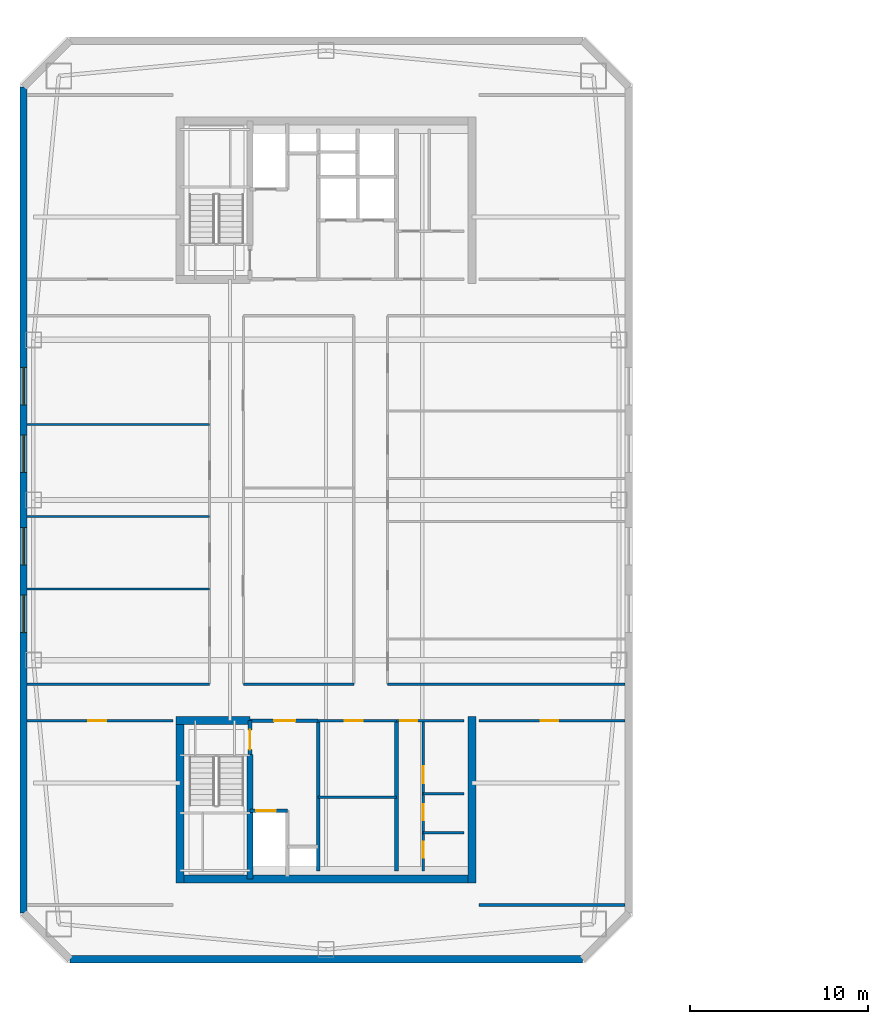
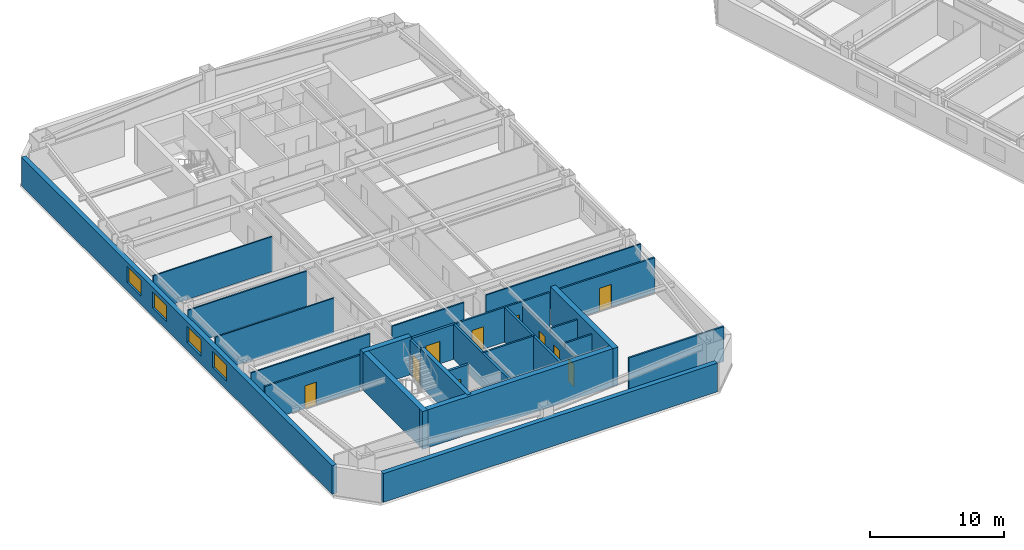
# One storey, part 5 of 13: 27 walls, 10 doors, 4 windows, 14 openings.
"""IFC4 building model written with IfcOpenShell, lengths in metres."""

from ifc_helpers import new_model, si_unit, direction, frame, frame_2d, origin, place, context, subcontext, project, spatial, rectangle, extrude, material, layer, layer_set, type_object, element, fill, save


model = new_model("IFC4")

# Units and contexts
model_context = context("Model", 3, precision=1e-05, world=origin(), true_north=direction((0.0, 1.0)))
body_context = subcontext(model_context, "Body", "Model", "MODEL_VIEW")
ifc_project = project(units=[si_unit("LENGTHUNIT", "METRE"), si_unit("AREAUNIT", "SQUARE_METRE"), si_unit("VOLUMEUNIT", "CUBIC_METRE"), si_unit("PLANEANGLEUNIT", "RADIAN"), si_unit("MASSUNIT", "GRAM", prefix="KILO")], contexts=[model_context])

# Site, building, storey
site_placement = place(None, origin())
site = spatial("IfcSite", under=ifc_project, at=site_placement, CompositionType="ELEMENT")
building_placement = place(site_placement, origin())
building = spatial("IfcBuilding", under=site, at=building_placement, Name="Qiaolan Cultural Towers", CompositionType="ELEMENT")
storey_placement = place(building_placement, frame((0.0, 0.0, 192.050048828125)))
storey = spatial("IfcBuildingStorey", under=building, at=storey_placement, Name="L51", CompositionType="ELEMENT", Elevation=192.050048828125)

# Walls
ifc_material_1 = material(Name="Concrete C50", Category="concrete")
ifc_layer_1 = layer(ifc_material_1, 0.35009765625)
ifc_layer_set_1 = layer_set([ifc_layer_1], Name="Concrete C50")
wall_type_1 = type_object("IfcWallType", Name="WL-CORE-350", PredefinedType="SHEAR", material=ifc_layer_set_1)
wall_1_placement = place(storey_placement, frame((25.719970703125, 19.699951171875, 0.0), z_axis=(0.0, 0.0, 1.0), x_axis=(0.0, -1.0, 0.0)))
element("IfcWall", 1, at=wall_1_placement, inside=storey, type_object=wall_type_1, Name="L51 T1-CS Stair Core Dividing Web", PredefinedType="SHEAR", context=body_context, shape_type="SweptSolid", body=[
    extrude(rectangle(XDim=6.97998046875, YDim=0.35009765625, at=frame_2d((3.489990234375, 0.0))), origin(), (0.0, 0.0, 1.0), 3.449951171875),
])
ifc_material_2 = material(Name="Concrete C50", Category="concrete")
ifc_layer_2 = layer(ifc_material_2, 0.449951171875)
ifc_layer_set_2 = layer_set([ifc_layer_2], Name="Concrete C50")
wall_type_2 = type_object("IfcWallType", Name="WL-CORE-450", PredefinedType="SHEAR", material=ifc_layer_set_2)
wall_2_placement = place(storey_placement, frame((21.574951171875, 12.719970703125, 0.0), z_axis=(0.0, 0.0, 1.0), x_axis=(1.0, 0.0, 0.0)))
element("IfcWall", 2, at=wall_2_placement, inside=storey, type_object=wall_type_2, Name="L51 T1-CS Outer Core Shear Wall", PredefinedType="SHEAR", context=body_context, shape_type="SweptSolid", body=[
    extrude(rectangle(XDim=16.85009765625, YDim=0.449951171875, at=frame_2d((8.425048828125, 0.0))), origin(), (0.0, 0.0, 1.0), 3.449951171875),
])
for number, where, z_axis, x_axis, name in (
    (3, (21.800048828125, 21.824951171875, 0.0), (0.0, 0.0, 1.0), (0.0, -1.0, 0.0), "L51 T1-CS West Core Shear Wall"),
    (4, (38.199951171875, 21.824951171875, 0.0), (0.0, 0.0, 1.0), (0.0, -1.0, 0.0), "L51 T1-CS East Core Shear Wall"),
):
    element("IfcWall", number, at=place(storey_placement, frame(where, z_axis=z_axis, x_axis=x_axis)), inside=storey, type_object=wall_type_2, Name=name, PredefinedType="SHEAR", context=body_context, shape_type="SweptSolid", body=[
        extrude(rectangle(XDim=9.329833984375, YDim=0.449951171875, at=frame_2d((4.6650390625, 0.0))), origin(), (0.0, 0.0, 1.0), 3.449951171875),
    ])
wall_3_placement = place(storey_placement, frame((21.574951171875, 21.60009765625, 0.0), z_axis=(0.0, 0.0, 1.0), x_axis=(1.0, 0.0, 0.0)))
element("IfcWall", 5, at=wall_3_placement, inside=storey, type_object=wall_type_2, Name="L51 T1-CS Stair Front Shear Wall", PredefinedType="SHEAR", context=body_context, shape_type="SweptSolid", body=[
    extrude(rectangle(XDim=4.14501953125, YDim=0.449951171875, at=frame_2d((2.072509765625, 0.0))), origin(), (0.0, 0.0, 1.0), 3.449951171875),
])

# Wall, openings, windows
ifc_material_3 = material(Name="Precast Concrete C50 Honed Stone Pier", Category="masonry")
ifc_layer_3 = layer(ifc_material_3, 0.39990234375)
ifc_layer_set_3 = layer_set([ifc_layer_3], Name="Precast Concrete C50 Honed Stone Pier")
wall_type_3 = type_object("IfcWallType", Name="WL-EXT-PIER-400", PredefinedType="SOLIDWALL", material=ifc_layer_set_3)
wall_4_placement = place(storey_placement, frame((13.0, 10.800048828125, 0.0), z_axis=(0.0, 0.0, 1.0), x_axis=(0.0, 1.0, 0.0)))
wall_4 = element("IfcWall", 6, at=wall_4_placement, inside=storey, type_object=wall_type_3, Name="L51 West Tower Precast Pier Facade Wall F1", PredefinedType="SOLIDWALL", context=body_context, shape_type="SweptSolid", body=[
    extrude(rectangle(XDim=46.39990234375, YDim=0.39990234375, at=frame_2d((23.199951171875, 0.0))), origin(), (0.0, 0.0, 1.0), 2.60986328125),
])
opening_1_placement = place(wall_4_placement, frame((15.75, 0.0, 0.75)))
opening_1 = element("IfcOpeningElement", 7, at=opening_1_placement, cuts=wall_4, Name="Opening W-05", PredefinedType="OPENING", context=body_context, shape_type="SweptSolid", body=[
    extrude(rectangle(XDim=2.10009765625, YDim=1.4599609375, at=frame_2d((1.050048828125, 0.72998046875))), frame((0.0, 0.2099609375, 0.0), z_axis=(0.0, -1.0, 0.0), x_axis=(1.0, 0.0, 0.0)), (0.0, 0.0, 1.0), 0.419921875),
])
opening_2_placement = place(wall_4_placement, frame((19.550048828125, 0.0, 0.75)))
opening_2 = element("IfcOpeningElement", 8, at=opening_2_placement, cuts=wall_4, Name="Opening W-05", PredefinedType="OPENING", context=body_context, shape_type="SweptSolid", body=[
    extrude(rectangle(XDim=2.10009765625, YDim=1.4599609375, at=frame_2d((1.050048828125, 0.72998046875))), frame((0.0, 0.2099609375, 0.0), z_axis=(0.0, -1.0, 0.0), x_axis=(1.0, 0.0, 0.0)), (0.0, 0.0, 1.0), 0.419921875),
])
opening_3_placement = place(wall_4_placement, frame((24.75, 0.0, 0.75)))
opening_3 = element("IfcOpeningElement", 9, at=opening_3_placement, cuts=wall_4, Name="Opening W-05", PredefinedType="OPENING", context=body_context, shape_type="SweptSolid", body=[
    extrude(rectangle(XDim=2.10009765625, YDim=1.4599609375, at=frame_2d((1.050048828125, 0.72998046875))), frame((0.0, 0.2099609375, 0.0), z_axis=(0.0, -1.0, 0.0), x_axis=(1.0, 0.0, 0.0)), (0.0, 0.0, 1.0), 0.419921875),
])
opening_4_placement = place(wall_4_placement, frame((28.550048828125, 0.0, 0.75)))
opening_4 = element("IfcOpeningElement", 10, at=opening_4_placement, cuts=wall_4, Name="Opening W-05", PredefinedType="OPENING", context=body_context, shape_type="SweptSolid", body=[
    extrude(rectangle(XDim=2.10009765625, YDim=1.4599609375, at=frame_2d((1.050048828125, 0.72998046875))), frame((0.0, 0.2099609375, 0.0), z_axis=(0.0, -1.0, 0.0), x_axis=(1.0, 0.0, 0.0)), (0.0, 0.0, 1.0), 0.419921875),
])
ifc_material_4 = material(Name="Thermally Broken Aluminium Triple Low-E Glazing", Category="aluminium")
window_type = type_object("IfcWindowType", Name="WN-CHIC-2100", PartitioningType="SINGLE_PANEL", PredefinedType="WINDOW", material=ifc_material_4)
window_1_placement = place(opening_1_placement, origin())
window_1 = element("IfcWindow", 11, at=window_1_placement, inside=storey, type_object=window_type, Name="L51 T1 W Chicago Bay Window 1", OverallHeight=1.4599609375, OverallWidth=2.10009765625, PartitioningType="TRIPLE_PANEL_VERTICAL", PredefinedType="WINDOW", context=body_context, shape_type="SweptSolid", body=[
    extrude(rectangle(XDim=2.10009765625, YDim=1.4599609375, at=frame_2d((1.050048828125, 0.72998046875))), frame((0.0, 0.030029296875, 0.0), z_axis=(0.0, -1.0, 0.0), x_axis=(1.0, 0.0, 0.0)), (0.0, 0.0, 1.0), 0.06005859375),
])
fill(opening_1, window_1)
window_2_placement = place(opening_2_placement, origin())
window_2 = element("IfcWindow", 12, at=window_2_placement, inside=storey, type_object=window_type, Name="L51 T1 W Chicago Bay Window 2", OverallHeight=1.4599609375, OverallWidth=2.10009765625, PartitioningType="TRIPLE_PANEL_VERTICAL", PredefinedType="WINDOW", context=body_context, shape_type="SweptSolid", body=[
    extrude(rectangle(XDim=2.10009765625, YDim=1.4599609375, at=frame_2d((1.050048828125, 0.72998046875))), frame((0.0, 0.030029296875, 0.0), z_axis=(0.0, -1.0, 0.0), x_axis=(1.0, 0.0, 0.0)), (0.0, 0.0, 1.0), 0.06005859375),
])
fill(opening_2, window_2)
window_3_placement = place(opening_3_placement, origin())
window_3 = element("IfcWindow", 13, at=window_3_placement, inside=storey, type_object=window_type, Name="L51 T1 W Chicago Bay Window 3", OverallHeight=1.4599609375, OverallWidth=2.10009765625, PartitioningType="TRIPLE_PANEL_VERTICAL", PredefinedType="WINDOW", context=body_context, shape_type="SweptSolid", body=[
    extrude(rectangle(XDim=2.10009765625, YDim=1.4599609375, at=frame_2d((1.050048828125, 0.72998046875))), frame((0.0, 0.030029296875, 0.0), z_axis=(0.0, -1.0, 0.0), x_axis=(1.0, 0.0, 0.0)), (0.0, 0.0, 1.0), 0.06005859375),
])
fill(opening_3, window_3)
window_4_placement = place(opening_4_placement, origin())
window_4 = element("IfcWindow", 14, at=window_4_placement, inside=storey, type_object=window_type, Name="L51 T1 W Chicago Bay Window 4", OverallHeight=1.4599609375, OverallWidth=2.10009765625, PartitioningType="TRIPLE_PANEL_VERTICAL", PredefinedType="WINDOW", context=body_context, shape_type="SweptSolid", body=[
    extrude(rectangle(XDim=2.10009765625, YDim=1.4599609375, at=frame_2d((1.050048828125, 0.72998046875))), frame((0.0, 0.030029296875, 0.0), z_axis=(0.0, -1.0, 0.0), x_axis=(1.0, 0.0, 0.0)), (0.0, 0.0, 1.0), 0.06005859375),
])
fill(opening_4, window_4)

# Wall
wall_5_placement = place(storey_placement, frame((44.39990234375, 8.199951171875, 0.0), z_axis=(0.0, 0.0, 1.0), x_axis=(-1.0, 0.0, 0.0)))
element("IfcWall", 15, at=wall_5_placement, inside=storey, type_object=wall_type_3, Name="L51 West Tower Precast Pier Facade Wall F7", PredefinedType="SOLIDWALL", context=body_context, shape_type="SweptSolid", body=[
    extrude(rectangle(XDim=28.7998046875, YDim=0.39990234375, at=frame_2d((14.39990234375, 0.0))), origin(), (0.0, 0.0, 1.0), 2.60986328125),
])

# Wall, opening, door
ifc_material_5 = material(Name="Concrete C35 Fire Wall", Category="concrete")
ifc_layer_4 = layer(ifc_material_5, 0.199951171875)
ifc_layer_set_4 = layer_set([ifc_layer_4], Name="Concrete C35 Fire Wall")
wall_type_4 = type_object("IfcWallType", Name="WL-FIRE-200", PredefinedType="PARTITIONING", material=ifc_layer_set_4)
wall_6_placement = place(storey_placement, frame((25.719970703125, 21.60009765625, 0.0), z_axis=(0.0, 0.0, 1.0), x_axis=(0.0, -1.0, 0.0)))
wall_6 = element("IfcWall", 16, at=wall_6_placement, inside=storey, type_object=wall_type_4, Name="L51 T1-CS Smokeproof Stair Entry Wall", PredefinedType="PARTITIONING", context=body_context, shape_type="SweptSolid", body=[
    extrude(rectangle(XDim=1.900146484375, YDim=0.199951171875, at=frame_2d((0.9501953125, 0.0))), origin(), (0.0, 0.0, 1.0), 3.175048828125),
])
opening_5_placement = place(wall_6_placement, frame((0.52001953125, 0.0, 0.0)))
opening_5 = element("IfcOpeningElement", 17, at=opening_5_placement, cuts=wall_6, Name="Opening FD-04", PredefinedType="OPENING", context=body_context, shape_type="SweptSolid", body=[
    extrude(rectangle(XDim=1.10009765625, YDim=2.050048828125, at=frame_2d((0.550048828125, 1.02490234375))), frame((0.0, 0.10986328125, 0.0), z_axis=(0.0, -1.0, 0.0), x_axis=(1.0, 0.0, 0.0)), (0.0, 0.0, 1.0), 0.219970703125),
])
ifc_material_6 = material(Name="Galvanized Steel Command Fire Door", Category="steel")
door_type_1 = type_object("IfcDoorType", Name="DR-FD90-1100", OperationType="NOTDEFINED", PredefinedType="DOOR", material=ifc_material_6)
door_1_placement = place(opening_5_placement, origin())
door_1 = element("IfcDoor", 18, at=door_1_placement, inside=storey, type_object=door_type_1, Name="L51 ST-W1 Smokeproof Stair Fire Door", OperationType="SINGLE_SWING_LEFT", OverallHeight=2.050048828125, OverallWidth=1.10009765625, PredefinedType="DOOR", context=body_context, shape_type="SweptSolid", body=[
    extrude(rectangle(XDim=1.10009765625, YDim=2.050048828125, at=frame_2d((0.550048828125, 1.02490234375))), frame((0.0, 0.02490234375, 0.0), z_axis=(0.0, -1.0, 0.0), x_axis=(1.0, 0.0, 0.0)), (0.0, 0.0, 1.0), 0.050048828125),
])
fill(opening_5, door_1)

# Wall
wall_7_placement = place(storey_placement, frame((29.550048828125, 21.60009765625, 0.0), z_axis=(0.0, 0.0, 1.0), x_axis=(0.0, -1.0, 0.0)))
element("IfcWall", 19, at=wall_7_placement, inside=storey, type_object=wall_type_4, Name="L51 T1-CS Firefighting Zone Wall", PredefinedType="PARTITIONING", context=body_context, shape_type="SweptSolid", body=[
    extrude(rectangle(XDim=8.43017578125, YDim=0.199951171875, at=frame_2d((4.215087890625, 0.0))), origin(), (0.0, 0.0, 1.0), 3.175048828125),
])

# Wall, opening, door
wall_8_placement = place(storey_placement, frame((25.719970703125, 21.60009765625, 0.0), z_axis=(0.0, 0.0, 1.0), x_axis=(1.0, 0.0, 0.0)))
wall_8 = element("IfcWall", 20, at=wall_8_placement, inside=storey, type_object=wall_type_4, Name="L51 T1-CS Firefighting Lobby Front Wall", PredefinedType="PARTITIONING", context=body_context, shape_type="SweptSolid", body=[
    extrude(rectangle(XDim=3.830078125, YDim=0.199951171875, at=frame_2d((1.9150390625, 0.0))), origin(), (0.0, 0.0, 1.0), 3.175048828125),
])
opening_6_placement = place(wall_8_placement, frame((1.35009765625, 0.0, 0.0)))
opening_6 = element("IfcOpeningElement", 21, at=opening_6_placement, cuts=wall_8, Name="Opening FD-03", PredefinedType="OPENING", context=body_context, shape_type="SweptSolid", body=[
    extrude(rectangle(XDim=1.199951171875, YDim=2.050048828125, at=frame_2d((0.60009765625, 1.02490234375))), frame((0.0, 0.10986328125, 0.0), z_axis=(0.0, -1.0, 0.0), x_axis=(1.0, 0.0, 0.0)), (0.0, 0.0, 1.0), 0.219970703125),
])
ifc_material_7 = material(Name="Galvanized Steel Smokeproof Lobby Fire Door", Category="steel")
door_type_2 = type_object("IfcDoorType", Name="DR-FD90-1200", OperationType="NOTDEFINED", PredefinedType="DOOR", material=ifc_material_7)
door_2_placement = place(opening_6_placement, origin())
door_2 = element("IfcDoor", 22, at=door_2_placement, inside=storey, type_object=door_type_2, Name="L51 FFL-W1 Firefighting Lobby Fire Door", OperationType="SINGLE_SWING_LEFT", OverallHeight=2.050048828125, OverallWidth=1.199951171875, PredefinedType="DOOR", context=body_context, shape_type="SweptSolid", body=[
    extrude(rectangle(XDim=1.199951171875, YDim=2.050048828125, at=frame_2d((0.60009765625, 1.02490234375))), frame((0.0, 0.02490234375, 0.0), z_axis=(0.0, -1.0, 0.0), x_axis=(1.0, 0.0, 0.0)), (0.0, 0.0, 1.0), 0.050048828125),
])
fill(opening_6, door_2)

wall_9_placement = place(storey_placement, frame((25.719970703125, 16.550048828125, 0.0), z_axis=(0.0, 0.0, 1.0), x_axis=(1.0, 0.0, 0.0)))
wall_9 = element("IfcWall", 23, at=wall_9_placement, inside=storey, type_object=wall_type_4, Name="L51 T1-CS Firefighting Shaft Front Wall", PredefinedType="PARTITIONING", context=body_context, shape_type="SweptSolid", body=[
    extrude(rectangle(XDim=2.10009765625, YDim=0.199951171875, at=frame_2d((1.050048828125, 0.0))), origin(), (0.0, 0.0, 1.0), 3.175048828125),
])
opening_7_placement = place(wall_9_placement, frame((0.35009765625, 0.0, 0.0)))
opening_7 = element("IfcOpeningElement", 24, at=opening_7_placement, cuts=wall_9, Name="Opening LD-01", PredefinedType="OPENING", context=body_context, shape_type="SweptSolid", body=[
    extrude(rectangle(XDim=1.10009765625, YDim=2.050048828125, at=frame_2d((0.550048828125, 1.02490234375))), frame((0.0, 0.10986328125, 0.0), z_axis=(0.0, -1.0, 0.0), x_axis=(1.0, 0.0, 0.0)), (0.0, 0.0, 1.0), 0.219970703125),
])
ifc_material_8 = material(Name="Brushed Stainless Steel S30408 Centre-Parting Lift Landing Door", Category="steel")
door_type_3 = type_object("IfcDoorType", Name="DR-LIFT-1100", OperationType="NOTDEFINED", PredefinedType="DOOR", material=ifc_material_8)
door_3_placement = place(opening_7_placement, origin())
door_3 = element("IfcDoor", 25, at=door_3_placement, inside=storey, type_object=door_type_3, Name="L51 FFL-W1 Firefighting Lift Landing Door", OperationType="DOUBLE_DOOR_SLIDING", OverallHeight=2.050048828125, OverallWidth=1.10009765625, PredefinedType="DOOR", context=body_context, shape_type="SweptSolid", body=[
    extrude(rectangle(XDim=1.10009765625, YDim=2.050048828125, at=frame_2d((0.550048828125, 1.02490234375))), frame((0.0, 0.02490234375, 0.0), z_axis=(0.0, -1.0, 0.0), x_axis=(1.0, 0.0, 0.0)), (0.0, 0.0, 1.0), 0.050048828125),
])
fill(opening_7, door_3)

# Walls
wall_10_placement = place(storey_placement, frame((33.949951171875, 21.60009765625, 0.0), z_axis=(0.0, 0.0, 1.0), x_axis=(0.0, -1.0, 0.0)))
element("IfcWall", 26, at=wall_10_placement, inside=storey, type_object=wall_type_4, Name="L51 T1-CS Lift Core East Wall", PredefinedType="PARTITIONING", context=body_context, shape_type="SweptSolid", body=[
    extrude(rectangle(XDim=8.43017578125, YDim=0.199951171875, at=frame_2d((4.215087890625, 0.0))), origin(), (0.0, 0.0, 1.0), 3.175048828125),
])
ifc_material_9 = material(Name="Gypsum Stud Acoustic Partition", Category="gypsum")
ifc_layer_5 = layer(ifc_material_9, 0.1201171875)
ifc_layer_set_5 = layer_set([ifc_layer_5], Name="Gypsum Stud Acoustic Partition")
wall_type_5 = type_object("IfcWallType", Name="WL-PART-120", PredefinedType="PARTITIONING", material=ifc_layer_set_5)
wall_11_placement = place(storey_placement, frame((13.199951171875, 23.64990234375, 0.0), z_axis=(0.0, 0.0, 1.0), x_axis=(1.0, 0.0, 0.0)))
element("IfcWall", 27, at=wall_11_placement, inside=storey, type_object=wall_type_5, Name="L51 T1 Interior Wall", PredefinedType="PARTITIONING", context=body_context, shape_type="SweptSolid", body=[
    extrude(rectangle(XDim=10.25, YDim=0.1201171875, at=frame_2d((5.125, 0.0))), origin(), (0.0, 0.0, 1.0), 3.175048828125),
])
wall_12_placement = place(storey_placement, frame((25.35009765625, 23.64990234375, 0.0), z_axis=(0.0, 0.0, 1.0), x_axis=(1.0, 0.0, 0.0)))
element("IfcWall", 28, at=wall_12_placement, inside=storey, type_object=wall_type_5, Name="L51 T1 Interior Wall", PredefinedType="PARTITIONING", context=body_context, shape_type="SweptSolid", body=[
    extrude(rectangle(XDim=6.199951171875, YDim=0.1201171875, at=frame_2d((3.10009765625, 0.0))), origin(), (0.0, 0.0, 1.0), 3.175048828125),
])
wall_13_placement = place(storey_placement, frame((33.449951171875, 23.64990234375, 0.0), z_axis=(0.0, 0.0, 1.0), x_axis=(1.0, 0.0, 0.0)))
element("IfcWall", 29, at=wall_13_placement, inside=storey, type_object=wall_type_5, Name="L51 T1 Interior Wall", PredefinedType="PARTITIONING", context=body_context, shape_type="SweptSolid", body=[
    extrude(rectangle(XDim=13.35009765625, YDim=0.1201171875, at=frame_2d((6.675048828125, 0.0))), origin(), (0.0, 0.0, 1.0), 3.175048828125),
])
for number, where, z_axis, x_axis, name in (
    (30, (13.199951171875, 29.0, 0.0), (0.0, 0.0, 1.0), (1.0, 0.0, 0.0), "L51 T1 Interior Wall"),
    (31, (13.199951171875, 33.06494140625, 0.0), (0.0, 0.0, 1.0), (1.0, 0.0, 0.0), "L51 T1 Interior Wall"),
    (32, (13.199951171875, 38.239990234375, 0.0), (0.0, 0.0, 1.0), (1.0, 0.0, 0.0), "L51 T1 Interior Wall"),
):
    element("IfcWall", number, at=place(storey_placement, frame(where, z_axis=z_axis, x_axis=x_axis)), inside=storey, type_object=wall_type_5, Name=name, PredefinedType="PARTITIONING", context=body_context, shape_type="SweptSolid", body=[
        extrude(rectangle(XDim=10.25, YDim=0.1201171875, at=frame_2d((5.125, 0.0))), origin(), (0.0, 0.0, 1.0), 3.175048828125),
    ])

# Wall, opening, door
ifc_material_10 = material(Name="Autoclaved Aerated Concrete Block B06", Category="concrete")
ifc_layer_6 = layer(ifc_material_10, 0.14990234375)
ifc_layer_set_6 = layer_set([ifc_layer_6], Name="Autoclaved Aerated Concrete Block B06")
wall_type_6 = type_object("IfcWallType", Name="WL-PART-150", PredefinedType="PARTITIONING", material=ifc_layer_set_6)
wall_14_placement = place(storey_placement, frame((29.550048828125, 21.60009765625, 0.0), z_axis=(0.0, 0.0, 1.0), x_axis=(1.0, 0.0, 0.0)))
wall_14 = element("IfcWall", 33, at=wall_14_placement, inside=storey, type_object=wall_type_6, Name="L51 T1-CS Reclaimed Core Room Front Wall", PredefinedType="PARTITIONING", context=body_context, shape_type="SweptSolid", body=[
    extrude(rectangle(XDim=4.39990234375, YDim=0.14990234375, at=frame_2d((2.199951171875, 0.0))), origin(), (0.0, 0.0, 1.0), 3.175048828125),
])
opening_8_placement = place(wall_14_placement, frame((1.5, 0.0, 0.0)))
opening_8 = element("IfcOpeningElement", 34, at=opening_8_placement, cuts=wall_14, Name="Opening ID-04", PredefinedType="OPENING", context=body_context, shape_type="SweptSolid", body=[
    extrude(rectangle(XDim=1.0, YDim=2.050048828125, at=frame_2d((0.5, 1.02490234375))), frame((0.0, 0.0849609375, 0.0), z_axis=(0.0, -1.0, 0.0), x_axis=(1.0, 0.0, 0.0)), (0.0, 0.0, 1.0), 0.169921875),
])
ifc_material_11 = material(Name="Oak Veneer Acoustic Office Door", Category="timber")
door_type_4 = type_object("IfcDoorType", Name="DR-INT-1000", OperationType="NOTDEFINED", PredefinedType="DOOR", material=ifc_material_11)
door_4_placement = place(opening_8_placement, origin())
door_4 = element("IfcDoor", 35, at=door_4_placement, inside=storey, type_object=door_type_4, Name="L51 Focus Pod Room Door", OperationType="SINGLE_SWING_LEFT", OverallHeight=2.050048828125, OverallWidth=1.0, PredefinedType="DOOR", context=body_context, shape_type="SweptSolid", body=[
    extrude(rectangle(XDim=1.0, YDim=2.050048828125, at=frame_2d((0.5, 1.02490234375))), frame((0.0, 0.02490234375, 0.0), z_axis=(0.0, -1.0, 0.0), x_axis=(1.0, 0.0, 0.0)), (0.0, 0.0, 1.0), 0.050048828125),
])
fill(opening_8, door_4)

# Wall
wall_15_placement = place(storey_placement, frame((29.550048828125, 17.300048828125, 0.0), z_axis=(0.0, 0.0, 1.0), x_axis=(1.0, 0.0, 0.0)))
element("IfcWall", 36, at=wall_15_placement, inside=storey, type_object=wall_type_6, Name="L51 T1-CS Reclaimed Room Subdivider", PredefinedType="PARTITIONING", context=body_context, shape_type="SweptSolid", body=[
    extrude(rectangle(XDim=4.39990234375, YDim=0.14990234375, at=frame_2d((2.199951171875, 0.0))), origin(), (0.0, 0.0, 1.0), 3.175048828125),
])

# Wall, opening, door
wall_16_placement = place(storey_placement, frame((33.949951171875, 21.60009765625, 0.0), z_axis=(0.0, 0.0, 1.0), x_axis=(1.0, 0.0, 0.0)))
wall_16 = element("IfcWall", 37, at=wall_16_placement, inside=storey, type_object=wall_type_6, Name="L51 T1-CS Sanitary Core Front Wall", PredefinedType="PARTITIONING", context=body_context, shape_type="SweptSolid", body=[
    extrude(rectangle(XDim=3.800048828125, YDim=0.14990234375, at=frame_2d((1.89990234375, 0.0))), origin(), (0.0, 0.0, 1.0), 3.175048828125),
])
opening_9_placement = place(wall_16_placement, frame((0.219970703125, 0.0, 0.0)))
opening_9 = element("IfcOpeningElement", 38, at=opening_9_placement, cuts=wall_16, Name="Opening ID-05", PredefinedType="OPENING", context=body_context, shape_type="SweptSolid", body=[
    extrude(rectangle(XDim=0.949951171875, YDim=2.050048828125, at=frame_2d((0.47509765625, 1.02490234375))), frame((0.0, 0.0849609375, 0.0), z_axis=(0.0, -1.0, 0.0), x_axis=(1.0, 0.0, 0.0)), (0.0, 0.0, 1.0), 0.169921875),
])
ifc_material_12 = material(Name="Fire-Rated Laminate Accessible Core Door", Category="timber")
door_type_5 = type_object("IfcDoorType", Name="DR-INT-950", OperationType="NOTDEFINED", PredefinedType="DOOR", material=ifc_material_12)
door_5_placement = place(opening_9_placement, origin())
door_5 = element("IfcDoor", 39, at=door_5_placement, inside=storey, type_object=door_type_5, Name="L51 Sanitary Vestibule Door", OperationType="SINGLE_SWING_LEFT", OverallHeight=2.050048828125, OverallWidth=0.949951171875, PredefinedType="DOOR", context=body_context, shape_type="SweptSolid", body=[
    extrude(rectangle(XDim=0.949951171875, YDim=2.050048828125, at=frame_2d((0.47509765625, 1.02490234375))), frame((0.0, 0.02490234375, 0.0), z_axis=(0.0, -1.0, 0.0), x_axis=(1.0, 0.0, 0.0)), (0.0, 0.0, 1.0), 0.050048828125),
])
fill(opening_9, door_5)

# Wall, openings, doors
wall_17_placement = place(storey_placement, frame((35.449951171875, 21.60009765625, 0.0), z_axis=(0.0, 0.0, 1.0), x_axis=(0.0, -1.0, 0.0)))
wall_17 = element("IfcWall", 40, at=wall_17_placement, inside=storey, type_object=wall_type_6, Name="L51 T1-CS Sanitary Vestibule Wall", PredefinedType="PARTITIONING", context=body_context, shape_type="SweptSolid", body=[
    extrude(rectangle(XDim=8.43017578125, YDim=0.14990234375, at=frame_2d((4.215087890625, 0.0))), origin(), (0.0, 0.0, 1.0), 2.81494140625),
])
opening_10_placement = place(wall_17_placement, frame((2.550048828125, 0.0, 0.0)))
opening_10 = element("IfcOpeningElement", 41, at=opening_10_placement, cuts=wall_17, Name="Opening ID-05", PredefinedType="OPENING", context=body_context, shape_type="SweptSolid", body=[
    extrude(rectangle(XDim=0.949951171875, YDim=2.050048828125, at=frame_2d((0.47509765625, 1.02490234375))), frame((0.0, 0.0849609375, 0.0), z_axis=(0.0, -1.0, 0.0), x_axis=(1.0, 0.0, 0.0)), (0.0, 0.0, 1.0), 0.169921875),
])
opening_11_placement = place(wall_17_placement, frame((4.699951171875, 0.0, 0.0)))
opening_11 = element("IfcOpeningElement", 42, at=opening_11_placement, cuts=wall_17, Name="Opening ID-06", PredefinedType="OPENING", context=body_context, shape_type="SweptSolid", body=[
    extrude(rectangle(XDim=0.89990234375, YDim=2.050048828125, at=frame_2d((0.449951171875, 1.02490234375))), frame((0.0, 0.0849609375, 0.0), z_axis=(0.0, -1.0, 0.0), x_axis=(1.0, 0.0, 0.0)), (0.0, 0.0, 1.0), 0.169921875),
])
opening_12_placement = place(wall_17_placement, frame((6.800048828125, 0.0, 0.0)))
opening_12 = element("IfcOpeningElement", 43, at=opening_12_placement, cuts=wall_17, Name="Opening ID-06", PredefinedType="OPENING", context=body_context, shape_type="SweptSolid", body=[
    extrude(rectangle(XDim=0.89990234375, YDim=2.050048828125, at=frame_2d((0.449951171875, 1.02490234375))), frame((0.0, 0.0849609375, 0.0), z_axis=(0.0, -1.0, 0.0), x_axis=(1.0, 0.0, 0.0)), (0.0, 0.0, 1.0), 0.169921875),
])
ifc_material_13 = material(Name="Fire-Rated Laminate Core Service Door", Category="timber")
door_type_6 = type_object("IfcDoorType", Name="DR-INT-900", OperationType="NOTDEFINED", PredefinedType="DOOR", material=ifc_material_13)
door_6_placement = place(opening_11_placement, origin())
door_6 = element("IfcDoor", 44, at=door_6_placement, inside=storey, type_object=door_type_6, Name="L51 Men Washroom Door", OperationType="SINGLE_SWING_LEFT", OverallHeight=2.050048828125, OverallWidth=0.89990234375, PredefinedType="DOOR", context=body_context, shape_type="SweptSolid", body=[
    extrude(rectangle(XDim=0.89990234375, YDim=2.050048828125, at=frame_2d((0.449951171875, 1.02490234375))), frame((0.0, 0.02490234375, 0.0), z_axis=(0.0, -1.0, 0.0), x_axis=(1.0, 0.0, 0.0)), (0.0, 0.0, 1.0), 0.050048828125),
])
fill(opening_11, door_6)
door_7_placement = place(opening_12_placement, origin())
door_7 = element("IfcDoor", 45, at=door_7_placement, inside=storey, type_object=door_type_6, Name="L51 Women Washroom Door", OperationType="SINGLE_SWING_RIGHT", OverallHeight=2.050048828125, OverallWidth=0.89990234375, PredefinedType="DOOR", context=body_context, shape_type="SweptSolid", body=[
    extrude(rectangle(XDim=0.89990234375, YDim=2.050048828125, at=frame_2d((0.449951171875, 1.02490234375))), frame((0.0, 0.02490234375, 0.0), z_axis=(0.0, -1.0, 0.0), x_axis=(1.0, 0.0, 0.0)), (0.0, 0.0, 1.0), 0.050048828125),
])
fill(opening_12, door_7)
door_8_placement = place(opening_10_placement, origin())
door_8 = element("IfcDoor", 46, at=door_8_placement, inside=storey, type_object=door_type_5, Name="L51 Accessible Family Washroom Door", OperationType="SINGLE_SWING_LEFT", OverallHeight=2.050048828125, OverallWidth=0.949951171875, PredefinedType="DOOR", context=body_context, shape_type="SweptSolid", body=[
    extrude(rectangle(XDim=0.949951171875, YDim=2.050048828125, at=frame_2d((0.47509765625, 1.02490234375))), frame((0.0, 0.02490234375, 0.0), z_axis=(0.0, -1.0, 0.0), x_axis=(1.0, 0.0, 0.0)), (0.0, 0.0, 1.0), 0.050048828125),
])
fill(opening_10, door_8)

# Walls
for number, where, z_axis, x_axis, name in (
    (47, (35.449951171875, 17.5, 0.0), (0.0, 0.0, 1.0), (1.0, 0.0, 0.0), "L51 T1-CS Restroom Split Wall 1"),
    (48, (35.449951171875, 15.300048828125, 0.0), (0.0, 0.0, 1.0), (1.0, 0.0, 0.0), "L51 T1-CS Restroom Split Wall 2"),
):
    element("IfcWall", number, at=place(storey_placement, frame(where, z_axis=z_axis, x_axis=x_axis)), inside=storey, type_object=wall_type_6, Name=name, PredefinedType="PARTITIONING", context=body_context, shape_type="SweptSolid", body=[
        extrude(rectangle(XDim=2.300048828125, YDim=0.14990234375, at=frame_2d((1.14990234375, 0.0))), origin(), (0.0, 0.0, 1.0), 3.175048828125),
    ])

# Wall, opening, door
wall_18_placement = place(storey_placement, frame((13.199951171875, 21.60009765625, 0.0), z_axis=(0.0, 0.0, 1.0), x_axis=(1.0, 0.0, 0.0)))
wall_18 = element("IfcWall", 49, at=wall_18_placement, inside=storey, type_object=wall_type_6, Name="L51 T1 Flank Front FLK-SW", PredefinedType="PARTITIONING", context=body_context, shape_type="SweptSolid", body=[
    extrude(rectangle(XDim=8.199951171875, YDim=0.14990234375, at=frame_2d((4.10009765625, 0.0))), origin(), (0.0, 0.0, 1.0), 3.175048828125),
])
opening_13_placement = place(wall_18_placement, frame((3.444091796875, 0.0, 0.0)))
opening_13 = element("IfcOpeningElement", 50, at=opening_13_placement, cuts=wall_18, Name="Opening ID-04", PredefinedType="OPENING", context=body_context, shape_type="SweptSolid", body=[
    extrude(rectangle(XDim=1.0, YDim=2.050048828125, at=frame_2d((0.5, 1.02490234375))), frame((0.0, 0.0849609375, 0.0), z_axis=(0.0, -1.0, 0.0), x_axis=(1.0, 0.0, 0.0)), (0.0, 0.0, 1.0), 0.169921875),
])
door_9_placement = place(opening_13_placement, origin())
door_9 = element("IfcDoor", 51, at=door_9_placement, inside=storey, type_object=door_type_4, Name="L51 T1 Corner Studio Door", OperationType="SINGLE_SWING_LEFT", OverallHeight=2.050048828125, OverallWidth=1.0, PredefinedType="DOOR", context=body_context, shape_type="SweptSolid", body=[
    extrude(rectangle(XDim=1.0, YDim=2.050048828125, at=frame_2d((0.5, 1.02490234375))), frame((0.0, 0.02490234375, 0.0), z_axis=(0.0, -1.0, 0.0), x_axis=(1.0, 0.0, 0.0)), (0.0, 0.0, 1.0), 0.050048828125),
])
fill(opening_13, door_9)

# Wall
wall_19_placement = place(storey_placement, frame((38.60009765625, 11.25, 0.0), z_axis=(0.0, 0.0, 1.0), x_axis=(1.0, 0.0, 0.0)))
element("IfcWall", 52, at=wall_19_placement, inside=storey, type_object=wall_type_6, Name="L51 T1 Flank Wall FLK-SE", PredefinedType="PARTITIONING", context=body_context, shape_type="SweptSolid", body=[
    extrude(rectangle(XDim=8.199951171875, YDim=0.14990234375, at=frame_2d((4.10009765625, 0.0))), origin(), (0.0, 0.0, 1.0), 3.175048828125),
])

# Wall, opening, door
wall_20_placement = place(storey_placement, frame((38.60009765625, 21.60009765625, 0.0), z_axis=(0.0, 0.0, 1.0), x_axis=(1.0, 0.0, 0.0)))
wall_20 = element("IfcWall", 53, at=wall_20_placement, inside=storey, type_object=wall_type_6, Name="L51 T1 Flank Front FLK-SE", PredefinedType="PARTITIONING", context=body_context, shape_type="SweptSolid", body=[
    extrude(rectangle(XDim=8.199951171875, YDim=0.14990234375, at=frame_2d((4.10009765625, 0.0))), origin(), (0.0, 0.0, 1.0), 3.175048828125),
])
opening_14_placement = place(wall_20_placement, frame((3.444091796875, 0.0, 0.0)))
opening_14 = element("IfcOpeningElement", 54, at=opening_14_placement, cuts=wall_20, Name="Opening ID-04", PredefinedType="OPENING", context=body_context, shape_type="SweptSolid", body=[
    extrude(rectangle(XDim=1.0, YDim=2.050048828125, at=frame_2d((0.5, 1.02490234375))), frame((0.0, 0.0849609375, 0.0), z_axis=(0.0, -1.0, 0.0), x_axis=(1.0, 0.0, 0.0)), (0.0, 0.0, 1.0), 0.169921875),
])
door_10_placement = place(opening_14_placement, origin())
door_10 = element("IfcDoor", 55, at=door_10_placement, inside=storey, type_object=door_type_4, Name="L51 T1 Corner Studio Door", OperationType="SINGLE_SWING_LEFT", OverallHeight=2.050048828125, OverallWidth=1.0, PredefinedType="DOOR", context=body_context, shape_type="SweptSolid", body=[
    extrude(rectangle(XDim=1.0, YDim=2.050048828125, at=frame_2d((0.5, 1.02490234375))), frame((0.0, 0.02490234375, 0.0), z_axis=(0.0, -1.0, 0.0), x_axis=(1.0, 0.0, 0.0)), (0.0, 0.0, 1.0), 0.050048828125),
])
fill(opening_14, door_10)

save(model, "model.ifc")
